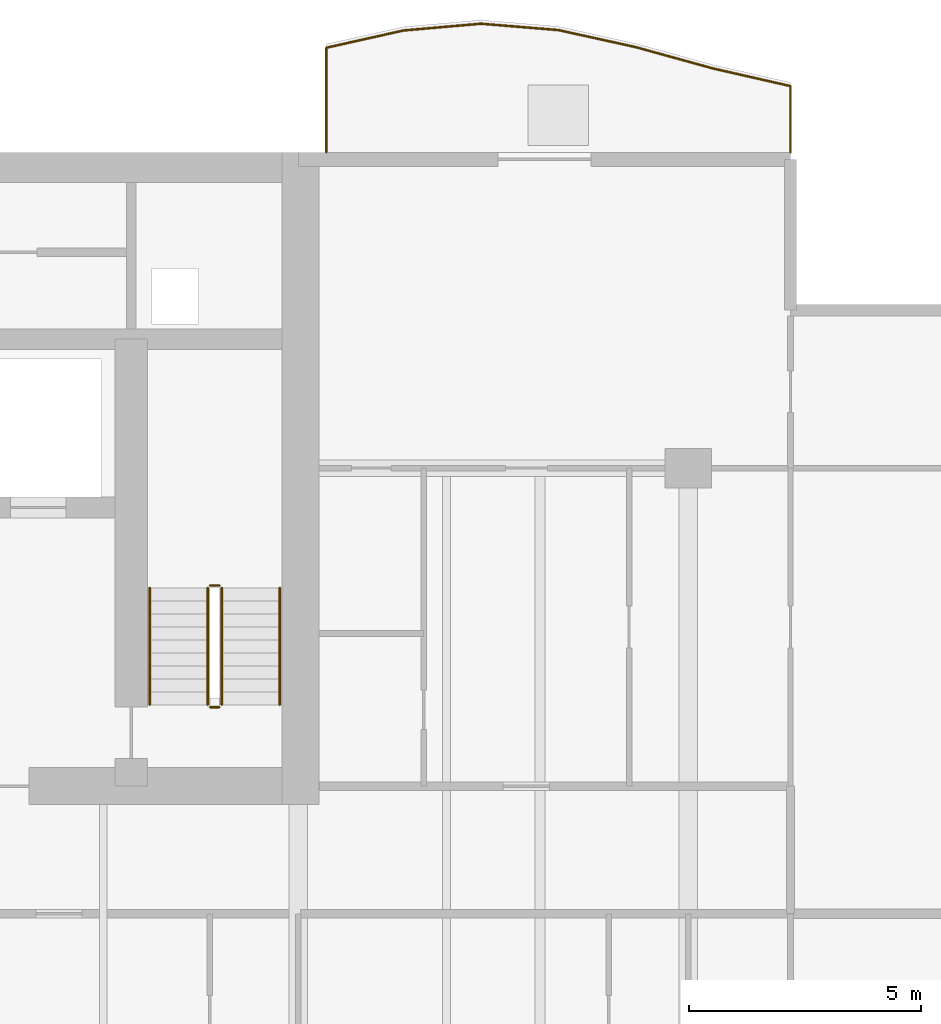
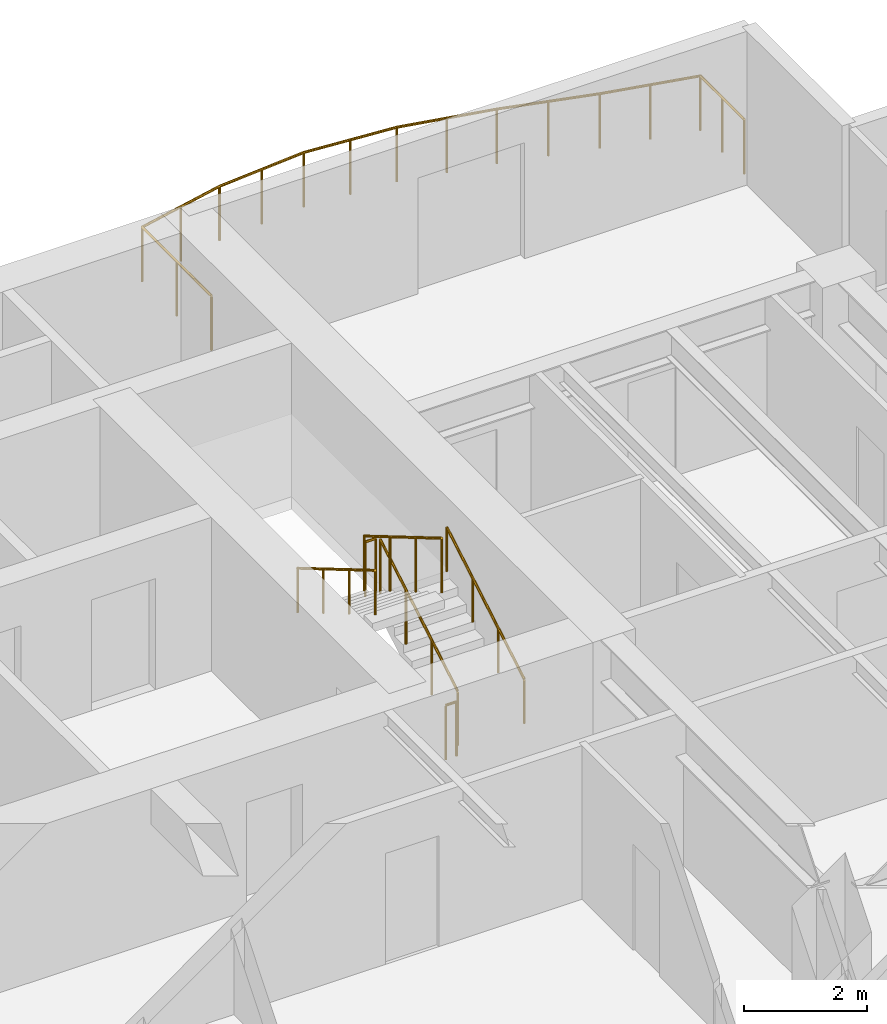
# One storey, part 15 of 16: 7 railings.
"""IFC4 building model written with IfcOpenShell, lengths in metres."""

from ifc_helpers import new_model, si_unit, direction, frame, origin, origin_2d, place, context, subcontext, project, spatial, circle, extrude, material, type_object, element, save


model = new_model("IFC4")

# Units and contexts
model_context = context("Model", 3, precision=1e-05, world=origin(), true_north=direction((0.0, 1.0)))
body_context = subcontext(model_context, "Body", "Model", "MODEL_VIEW")
ifc_project = project(units=[si_unit("LENGTHUNIT", "METRE"), si_unit("AREAUNIT", "SQUARE_METRE"), si_unit("VOLUMEUNIT", "CUBIC_METRE"), si_unit("PLANEANGLEUNIT", "RADIAN"), si_unit("MASSUNIT", "GRAM", prefix="KILO")], contexts=[model_context])

# Site, building, storey
site_placement = place(None, origin())
site = spatial("IfcSite", under=ifc_project, at=site_placement, CompositionType="ELEMENT")
building_placement = place(site_placement, origin())
building = spatial("IfcBuilding", under=site, at=building_placement, Name="Caelmar Bay Residences", CompositionType="ELEMENT")
storey_placement = place(building_placement, frame((0.0, 0.0, 142.199951171875)))
storey = spatial("IfcBuildingStorey", under=building, at=storey_placement, Name="L39", CompositionType="ELEMENT", Elevation=142.199951171875)

# Railings
ifc_material_1 = material(Name="Anodised bronze handrail with laminated hurricane glass infill", Category="glass")
railing_type_1 = type_object("IfcRailingType", Name="RL-BAL-1100", PredefinedType="BALUSTRADE", material=ifc_material_1)
railing_1_placement = place(storey_placement, frame((70.10009765625, 50.60009765625, 0.0)))
element("IfcRailing", 1, at=railing_1_placement, inside=storey, type_object=railing_type_1, Name="L39 north_east Balcony Balustrade", PredefinedType="BALUSTRADE", context=body_context, shape_type="SweptSolid", body=[
    extrude(circle(Radius=0.02392578125, at=origin_2d()), frame((0.0, 0.0, 1.076171875), z_axis=(0.0, 1.0, 0.0), x_axis=(-1.0, 0.0, 0.0)), (0.0, 0.0, 1.0), 1.426513671875),
    extrude(circle(Radius=0.02392578125, at=origin_2d()), frame((0.0, 1.426513671875, 1.076171875), z_axis=(-0.97505844271, 0.22194826717, 0.0), x_axis=(-0.22194826717, -0.97505844271, 0.0)), (0.0, 0.0, 1.0), 1.70947265625),
    extrude(circle(Radius=0.02392578125, at=origin_2d()), frame((-1.666748046875, 1.805908203125, 1.076171875), z_axis=(-0.963967650546, 0.266019489326, 0.0), x_axis=(-0.266019489326, -0.963967650546, 0.0)), (0.0, 0.0, 1.0), 1.72900390625),
    extrude(circle(Radius=0.02392578125, at=origin_2d()), frame((-3.33349609375, 2.265869140625, 1.076171875), z_axis=(-0.97654589597, 0.215309342724, 0.0), x_axis=(-0.215309342724, -0.97654589597, 0.0)), (0.0, 0.0, 1.0), 1.70654296875),
    extrude(circle(Radius=0.02392578125, at=origin_2d()), frame((-5.0, 2.63330078125, 1.076171875), z_axis=(-0.996652648034, 0.081752670704, 0.0), x_axis=(-0.081752670704, -0.996652648034, 0.0)), (0.0, 0.0, 1.0), 1.67236328125),
    extrude(circle(Radius=0.02392578125, at=origin_2d()), frame((-6.666748046875, 2.77001953125, 1.076171875), z_axis=(-0.996210962439, -0.086969640195, 0.0), x_axis=(0.086969640195, -0.996210962439, 0.0)), (0.0, 0.0, 1.0), 1.673095703125),
    extrude(circle(Radius=0.02392578125, at=origin_2d()), frame((-8.33349609375, 2.62451171875, 1.076171875), z_axis=(-0.975879974699, -0.21830775291, 0.0), x_axis=(0.21830775291, -0.975879974699, 0.0)), (0.0, 0.0, 1.0), 1.707763671875),
    extrude(circle(Radius=0.02392578125, at=origin_2d()), frame((-10.0, 2.251708984375, 1.076171875), z_axis=(0.0, -1.0, 0.0), x_axis=(1.0, 0.0, 0.0)), (0.0, 0.0, 1.0), 2.251708984375),
    extrude(circle(Radius=0.02099609375, at=origin_2d()), origin(), (0.0, 0.0, 1.0), 1.052001953125),
    extrude(circle(Radius=0.02099609375, at=origin_2d()), frame((0.0, 0.71337890625, 0.0)), (0.0, 0.0, 1.0), 1.052001953125),
    extrude(circle(Radius=0.02099609375, at=origin_2d()), frame((0.0, 1.426513671875, 0.0)), (0.0, 0.0, 1.0), 1.052001953125),
    extrude(circle(Radius=0.02099609375, at=origin_2d()), frame((-0.83349609375, 1.6162109375, 0.0)), (0.0, 0.0, 1.0), 1.052001953125),
    extrude(circle(Radius=0.02099609375, at=origin_2d()), frame((-1.666748046875, 1.805908203125, 0.0)), (0.0, 0.0, 1.0), 1.052001953125),
    extrude(circle(Radius=0.02099609375, at=origin_2d()), frame((-2.5, 2.035888671875, 0.0)), (0.0, 0.0, 1.0), 1.052001953125),
    extrude(circle(Radius=0.02099609375, at=origin_2d()), frame((-3.33349609375, 2.265869140625, 0.0)), (0.0, 0.0, 1.0), 1.052001953125),
    extrude(circle(Radius=0.02099609375, at=origin_2d()), frame((-4.166748046875, 2.44970703125, 0.0)), (0.0, 0.0, 1.0), 1.052001953125),
    extrude(circle(Radius=0.02099609375, at=origin_2d()), frame((-5.0, 2.63330078125, 0.0)), (0.0, 0.0, 1.0), 1.052001953125),
    extrude(circle(Radius=0.02099609375, at=origin_2d()), frame((-5.83349609375, 2.70166015625, 0.0)), (0.0, 0.0, 1.0), 1.052001953125),
    extrude(circle(Radius=0.02099609375, at=origin_2d()), frame((-6.666748046875, 2.77001953125, 0.0)), (0.0, 0.0, 1.0), 1.052001953125),
    extrude(circle(Radius=0.02099609375, at=origin_2d()), frame((-7.5, 2.697265625, 0.0)), (0.0, 0.0, 1.0), 1.052001953125),
    extrude(circle(Radius=0.02099609375, at=origin_2d()), frame((-8.33349609375, 2.62451171875, 0.0)), (0.0, 0.0, 1.0), 1.052001953125),
    extrude(circle(Radius=0.02099609375, at=origin_2d()), frame((-9.166748046875, 2.43798828125, 0.0)), (0.0, 0.0, 1.0), 1.052001953125),
    extrude(circle(Radius=0.02099609375, at=origin_2d()), frame((-10.0, 2.251708984375, 0.0)), (0.0, 0.0, 1.0), 1.052001953125),
    extrude(circle(Radius=0.02099609375, at=origin_2d()), frame((-10.0, 1.1259765625, 0.0)), (0.0, 0.0, 1.0), 1.052001953125),
    extrude(circle(Radius=0.02099609375, at=origin_2d()), frame((-10.0, 0.0, 0.0)), (0.0, 0.0, 1.0), 1.052001953125),
])
ifc_material_2 = material(Name="Painted galvanized steel stair guard 1100 mm", Category="steel")
railing_type_2 = type_object("IfcRailingType", Name="RL-GRD-1100", PredefinedType="GUARDRAIL", material=ifc_material_2)
railing_2_placement = place(storey_placement, frame((57.85009765625, 38.699951171875, 0.1650390625)))
element("IfcRailing", 2, at=railing_2_placement, inside=storey, type_object=railing_type_2, Name="L39 ST2 stair guard 1", PredefinedType="GUARDRAIL", context=body_context, shape_type="SweptSolid", body=[
    extrude(circle(Radius=0.02392578125, at=origin_2d()), frame((0.0, 0.0, 1.076171875), z_axis=(0.0, 0.86152411907, 0.507716645641), x_axis=(-1.0, 0.0, 0.0)), (0.0, 0.0, 1.0), 2.925048828125),
    extrude(circle(Radius=0.02099609375, at=origin_2d()), origin(), (0.0, 0.0, 1.0), 1.052001953125),
    extrude(circle(Radius=0.02099609375, at=origin_2d()), frame((0.0, 0.840087890625, 0.4951171875)), (0.0, 0.0, 1.0), 1.052001953125),
    extrude(circle(Radius=0.02099609375, at=origin_2d()), frame((0.0, 1.679931640625, 0.989990234375)), (0.0, 0.0, 1.0), 1.052001953125),
    extrude(circle(Radius=0.02099609375, at=origin_2d()), frame((0.0, 2.52001953125, 1.485107421875)), (0.0, 0.0, 1.0), 1.052001953125),
])
railing_3_placement = place(storey_placement, frame((57.800048828125, 41.27001953125, 1.650146484375)))
element("IfcRailing", 3, at=railing_3_placement, inside=storey, type_object=railing_type_2, Name="L39 ST2 stair guard 2", PredefinedType="GUARDRAIL", context=body_context, shape_type="SweptSolid", body=[
    extrude(circle(Radius=0.02392578125, at=origin_2d()), frame((0.0, 0.0, 1.076171875), z_axis=(-1.0, 0.0, 0.0), x_axis=(0.0, -1.0, 0.0)), (0.0, 0.0, 1.0), 0.199951171875),
    extrude(circle(Radius=0.02099609375, at=origin_2d()), origin(), (0.0, 0.0, 1.0), 1.052001953125),
    extrude(circle(Radius=0.02099609375, at=origin_2d()), frame((-0.199951171875, 0.0, 0.0)), (0.0, 0.0, 1.0), 1.052001953125),
])
railing_4_placement = place(storey_placement, frame((57.550048828125, 41.219970703125, 1.81494140625)))
element("IfcRailing", 4, at=railing_4_placement, inside=storey, type_object=railing_type_2, Name="L39 ST2 stair guard 3", PredefinedType="GUARDRAIL", context=body_context, shape_type="SweptSolid", body=[
    extrude(circle(Radius=0.02392578125, at=origin_2d()), frame((0.0, 0.0, 1.076171875), z_axis=(0.0, -0.86152411907, 0.507716645641), x_axis=(1.0, 0.0, 0.0)), (0.0, 0.0, 1.0), 2.925048828125),
    extrude(circle(Radius=0.02099609375, at=origin_2d()), origin(), (0.0, 0.0, 1.0), 1.052001953125),
    extrude(circle(Radius=0.02099609375, at=origin_2d()), frame((0.0, -0.840087890625, 0.4951171875)), (0.0, 0.0, 1.0), 1.052001953125),
    extrude(circle(Radius=0.02099609375, at=origin_2d()), frame((0.0, -1.679931640625, 0.989990234375)), (0.0, 0.0, 1.0), 1.052001953125),
    extrude(circle(Radius=0.02099609375, at=origin_2d()), frame((0.0, -2.52001953125, 1.485107421875)), (0.0, 0.0, 1.0), 1.052001953125),
])
railing_5_placement = place(storey_placement, frame((57.800048828125, 38.64990234375, 0.0)))
element("IfcRailing", 5, at=railing_5_placement, inside=storey, type_object=railing_type_2, Name="L39 ST2 stair guard 4", PredefinedType="GUARDRAIL", context=body_context, shape_type="SweptSolid", body=[
    extrude(circle(Radius=0.02392578125, at=origin_2d()), frame((0.0, 0.0, 1.076171875), z_axis=(-1.0, 0.0, 0.0), x_axis=(0.0, -1.0, 0.0)), (0.0, 0.0, 1.0), 0.199951171875),
    extrude(circle(Radius=0.02099609375, at=origin_2d()), origin(), (0.0, 0.0, 1.0), 1.052001953125),
    extrude(circle(Radius=0.02099609375, at=origin_2d()), frame((-0.199951171875, 0.0, 0.0)), (0.0, 0.0, 1.0), 1.052001953125),
])
ifc_material_3 = material(Name="Brushed bronze stainless-steel tubular handrail 900 mm", Category="steel")
railing_type_3 = type_object("IfcRailingType", Name="RL-HND-900", PredefinedType="HANDRAIL", material=ifc_material_3)
railing_6_placement = place(storey_placement, frame((59.10009765625, 38.699951171875, 0.1650390625)))
element("IfcRailing", 6, at=railing_6_placement, inside=storey, type_object=railing_type_3, Name="L39 ST2 stair handrail 1", PredefinedType="HANDRAIL", context=body_context, shape_type="SweptSolid", body=[
    extrude(circle(Radius=0.02392578125, at=origin_2d()), frame((0.0, 0.0, 0.8759765625), z_axis=(0.0, 0.86152411907, 0.507716645641), x_axis=(-1.0, 0.0, 0.0)), (0.0, 0.0, 1.0), 2.925048828125),
    extrude(circle(Radius=0.02099609375, at=origin_2d()), origin(), (0.0, 0.0, 1.0), 0.851806640625),
    extrude(circle(Radius=0.02099609375, at=origin_2d()), frame((0.0, 0.840087890625, 0.4951171875)), (0.0, 0.0, 1.0), 0.851806640625),
    extrude(circle(Radius=0.02099609375, at=origin_2d()), frame((0.0, 1.679931640625, 0.989990234375)), (0.0, 0.0, 1.0), 0.851806640625),
    extrude(circle(Radius=0.02099609375, at=origin_2d()), frame((0.0, 2.52001953125, 1.485107421875)), (0.0, 0.0, 1.0), 0.851806640625),
])
railing_7_placement = place(storey_placement, frame((56.300048828125, 41.219970703125, 1.81494140625)))
element("IfcRailing", 7, at=railing_7_placement, inside=storey, type_object=railing_type_3, Name="L39 ST2 stair handrail 2", PredefinedType="HANDRAIL", context=body_context, shape_type="SweptSolid", body=[
    extrude(circle(Radius=0.02392578125, at=origin_2d()), frame((0.0, 0.0, 0.8759765625), z_axis=(0.0, -0.86152411907, 0.507716645641), x_axis=(1.0, 0.0, 0.0)), (0.0, 0.0, 1.0), 2.925048828125),
    extrude(circle(Radius=0.02099609375, at=origin_2d()), origin(), (0.0, 0.0, 1.0), 0.851806640625),
    extrude(circle(Radius=0.02099609375, at=origin_2d()), frame((0.0, -0.840087890625, 0.4951171875)), (0.0, 0.0, 1.0), 0.851806640625),
    extrude(circle(Radius=0.02099609375, at=origin_2d()), frame((0.0, -1.679931640625, 0.989990234375)), (0.0, 0.0, 1.0), 0.851806640625),
    extrude(circle(Radius=0.02099609375, at=origin_2d()), frame((0.0, -2.52001953125, 1.485107421875)), (0.0, 0.0, 1.0), 0.851806640625),
])

save(model, "model.ifc")
